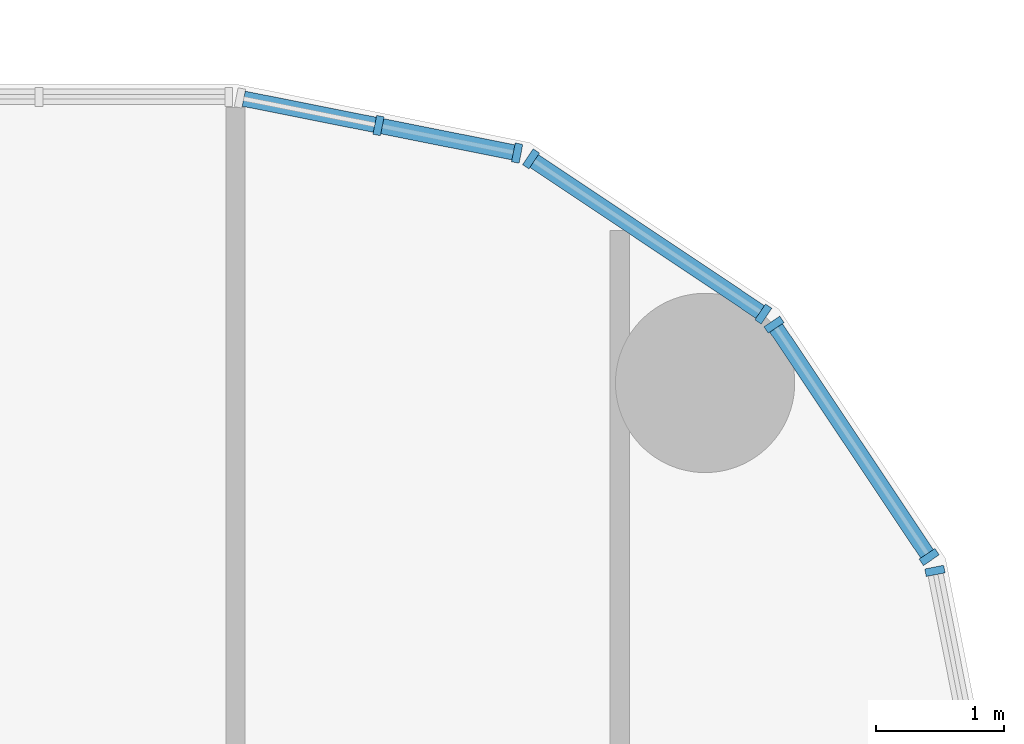
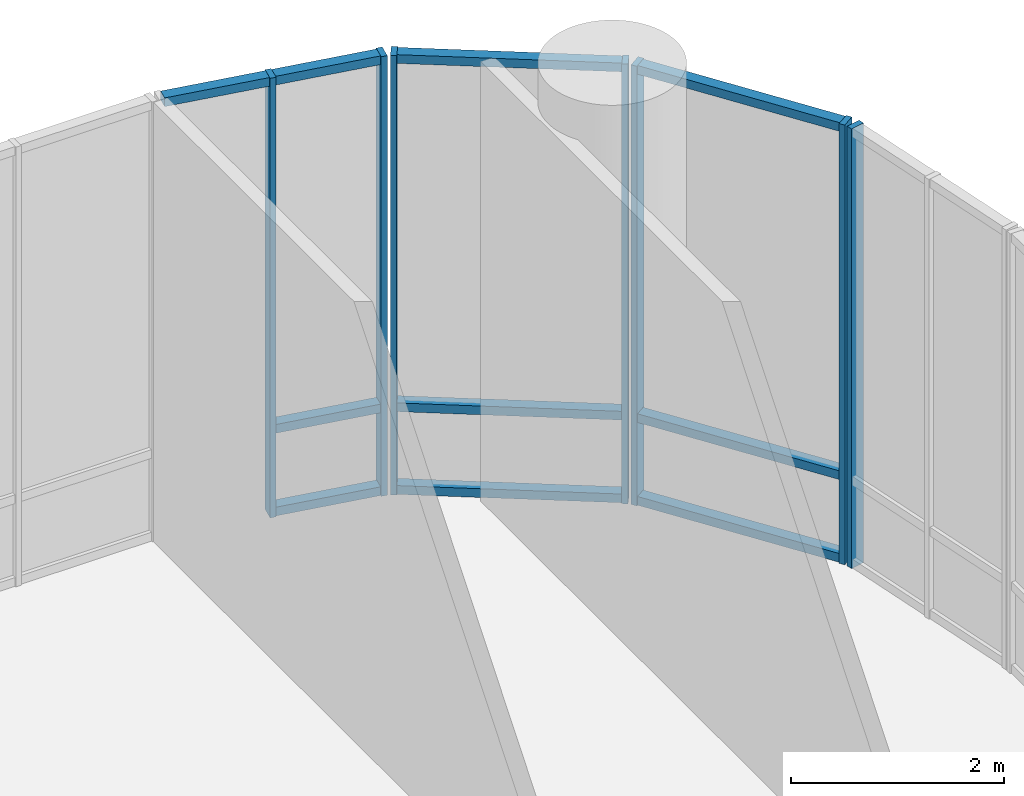
# One storey, part 18 of 30: 17 members, 4 elements without a shape of their own.
"""IFC4 building model written with IfcOpenShell, lengths in metres."""

from ifc_helpers import new_model, si_unit, direction, frame, origin, origin_2d, place, context, subcontext, project, spatial, rectangle, extrude, material, layer, layer_set, material_profile, profile_set, type_object, element, aggregate, save


model = new_model("IFC4")

# Units and contexts
model_context = context("Model", 3, precision=1e-05, world=origin(), true_north=direction((0.0, 1.0)))
body_context = subcontext(model_context, "Body", "Model", "MODEL_VIEW")
ifc_project = project(units=[si_unit("LENGTHUNIT", "METRE"), si_unit("AREAUNIT", "SQUARE_METRE"), si_unit("VOLUMEUNIT", "CUBIC_METRE"), si_unit("PLANEANGLEUNIT", "RADIAN"), si_unit("MASSUNIT", "GRAM", prefix="KILO")], contexts=[model_context])

# Site, building, storey
site_placement = place(None, origin())
site = spatial("IfcSite", under=ifc_project, at=site_placement, CompositionType="ELEMENT")
building_placement = place(site_placement, origin())
building = spatial("IfcBuilding", under=site, at=building_placement, Name="Torana Hotel and Residences", CompositionType="ELEMENT")
storey_placement = place(building_placement, frame((0.0, 0.0, 12.5)))
storey = spatial("IfcBuildingStorey", under=building, at=storey_placement, Name="L02", CompositionType="ELEMENT", Elevation=12.5)

# Curtain wall, member
ifc_material_1 = material(Name="Dark anodised aluminium", Category="aluminium")
ifc_layer = layer(ifc_material_1, 0.14990234375)
ifc_layer_set = layer_set([ifc_layer], Name="CW5 PODIUM UPPER UNITISED CURTAIN WALL")
curtain_wall_type = type_object("IfcCurtainWallType", Name="CW5 PODIUM UPPER UNITISED CURTAIN WALL", PredefinedType="NOTDEFINED", material=ifc_layer_set)
curtain_wall_1_placement = place(storey_placement, origin())
curtain_wall_1 = element("IfcCurtainWall", 1, at=curtain_wall_1_placement, inside=storey, type_object=curtain_wall_type, Name="Curtain wall CW5 L02 e1.6", PredefinedType="NOTDEFINED")
ifc_material_2 = material(Name="Dark anodised aluminium", Category="aluminium")
ifc_material_profile_1 = material_profile(ifc_material_2, rectangle(XDim=0.14990234375, YDim=0.06005859375, at=origin_2d()), Name="CW5 MULLION 60x150")
ifc_profile_set_1 = profile_set([ifc_material_profile_1], Name="Dark anodised aluminium")
member_type_1 = type_object("IfcMemberType", Name="CW5 MULLION 60x150", PredefinedType="MULLION", material=ifc_profile_set_1)
member_1_placement = place(storey_placement, frame((47.460693359375, 4.198486328125, 0.0), z_axis=(0.0, 0.0, 1.0), x_axis=(-0.980787135335, -0.195080996415, 0.0)))
member_1 = element("IfcMember", 2, at=member_1_placement, type_object=member_type_1, Name="CW5 mullion 3", PredefinedType="MULLION", context=body_context, shape_type="SweptSolid", body=[
    extrude(rectangle(XDim=0.14990234375, YDim=0.06005859375, at=origin_2d()), origin(), (0.0, 0.0, 1.0), 5.050048828125),
])
aggregate(curtain_wall_1, [member_1])

# Curtain wall, members
curtain_wall_2_placement = place(storey_placement, origin())
curtain_wall_2 = element("IfcCurtainWall", 3, at=curtain_wall_2_placement, inside=storey, type_object=curtain_wall_type, Name="Curtain wall CW5 L02 e1.7", PredefinedType="NOTDEFINED")
member_2_placement = place(storey_placement, frame((47.415771484375, 4.306884765625, 0.0), z_axis=(0.0, 0.0, 1.0), x_axis=(-0.831459585616, -0.555585238723, 0.0)))
member_2 = element("IfcMember", 4, at=member_2_placement, type_object=member_type_1, Name="CW5 mullion 1", PredefinedType="MULLION", context=body_context, shape_type="SweptSolid", body=[
    extrude(rectangle(XDim=0.14990234375, YDim=0.06005859375, at=origin_2d()), origin(), (0.0, 0.0, 1.0), 5.050048828125),
])
member_3_placement = place(storey_placement, frame((46.203857421875, 6.120849609375, 0.0), z_axis=(0.0, 0.0, 1.0), x_axis=(-0.831459585616, -0.555585238723, 0.0)))
member_3 = element("IfcMember", 5, at=member_3_placement, type_object=member_type_1, Name="CW5 mullion 2", PredefinedType="MULLION", context=body_context, shape_type="SweptSolid", body=[
    extrude(rectangle(XDim=0.14990234375, YDim=0.06005859375, at=origin_2d()), origin(), (0.0, 0.0, 1.0), 5.050048828125),
])

curtain_wall_3_placement = place(storey_placement, origin())
curtain_wall_3 = element("IfcCurtainWall", 6, at=curtain_wall_3_placement, inside=storey, type_object=curtain_wall_type, Name="Curtain wall CW5 L02 e1.8", PredefinedType="NOTDEFINED")
member_4_placement = place(storey_placement, frame((46.120849609375, 6.203857421875, 0.0), z_axis=(0.0, 0.0, 1.0), x_axis=(-0.555585238723, -0.831459585616, 0.0)))
member_4 = element("IfcMember", 7, at=member_4_placement, type_object=member_type_1, Name="CW5 mullion 1", PredefinedType="MULLION", context=body_context, shape_type="SweptSolid", body=[
    extrude(rectangle(XDim=0.14990234375, YDim=0.06005859375, at=origin_2d()), origin(), (0.0, 0.0, 1.0), 5.050048828125),
])
member_5_placement = place(storey_placement, frame((44.306884765625, 7.415771484375, 0.0), z_axis=(0.0, 0.0, 1.0), x_axis=(-0.555585238723, -0.831459585616, 0.0)))
member_5 = element("IfcMember", 8, at=member_5_placement, type_object=member_type_1, Name="CW5 mullion 2", PredefinedType="MULLION", context=body_context, shape_type="SweptSolid", body=[
    extrude(rectangle(XDim=0.14990234375, YDim=0.06005859375, at=origin_2d()), origin(), (0.0, 0.0, 1.0), 5.050048828125),
])

curtain_wall_4_placement = place(storey_placement, origin())
curtain_wall_4 = element("IfcCurtainWall", 9, at=curtain_wall_4_placement, inside=storey, type_object=curtain_wall_type, Name="Curtain wall CW5 L02 e1.9", PredefinedType="NOTDEFINED")
member_6_placement = place(storey_placement, frame((44.198486328125, 7.460693359375, 0.0), z_axis=(0.0, 0.0, 1.0), x_axis=(-0.195080996415, -0.980787135335, 0.0)))
member_6 = element("IfcMember", 10, at=member_6_placement, type_object=member_type_1, Name="CW5 mullion 1", PredefinedType="MULLION", context=body_context, shape_type="SweptSolid", body=[
    extrude(rectangle(XDim=0.14990234375, YDim=0.06005859375, at=origin_2d()), origin(), (0.0, 0.0, 1.0), 5.050048828125),
])
member_7_placement = place(storey_placement, frame((43.1162109375, 7.676025390625, 0.0), z_axis=(0.0, 0.0, 1.0), x_axis=(-0.195080996415, -0.980787135335, 0.0)))
member_7 = element("IfcMember", 11, at=member_7_placement, type_object=member_type_1, Name="CW5 mullion 2", PredefinedType="MULLION", context=body_context, shape_type="SweptSolid", body=[
    extrude(rectangle(XDim=0.14990234375, YDim=0.06005859375, at=origin_2d()), origin(), (0.0, 0.0, 1.0), 5.050048828125),
])

# Member
ifc_material_3 = material(Name="Dark anodised aluminium", Category="aluminium")
ifc_material_profile_2 = material_profile(ifc_material_3, rectangle(XDim=0.1201171875, YDim=0.10009765625, at=origin_2d()), Name="CW5 TRANSOM 120x100")
ifc_profile_set_2 = profile_set([ifc_material_profile_2], Name="Dark anodised aluminium")
member_type_2 = type_object("IfcMemberType", Name="CW5 TRANSOM 120x100", PredefinedType="USERDEFINED", material=ifc_profile_set_2)
member_8_placement = place(storey_placement, frame((47.399169921875, 4.331787109375, 0.050048828125), z_axis=(-0.555602799403, 0.831447851219, 0.0), x_axis=(-0.831447851219, -0.555602799403, 0.0)))
member_8 = element("IfcMember", 12, at=member_8_placement, type_object=member_type_2, Name="CW5 transom 1.1", ObjectType="TRANSOM", PredefinedType="USERDEFINED", context=body_context, shape_type="SweptSolid", body=[
    extrude(rectangle(XDim=0.1201171875, YDim=0.10009765625, at=origin_2d()), origin(), (0.0, 0.0, 1.0), 2.12158203125),
])

member_9_placement = place(storey_placement, frame((47.399169921875, 4.331787109375, 1.0), z_axis=(-0.555602799403, 0.831447851219, 0.0), x_axis=(-0.831447851219, -0.555602799403, 0.0)))
member_9 = element("IfcMember", 13, at=member_9_placement, type_object=member_type_2, Name="CW5 transom 1.2", ObjectType="TRANSOM", PredefinedType="USERDEFINED", context=body_context, shape_type="SweptSolid", body=[
    extrude(rectangle(XDim=0.1201171875, YDim=0.10009765625, at=origin_2d()), origin(), (0.0, 0.0, 1.0), 2.12158203125),
])

member_10_placement = place(storey_placement, frame((47.399169921875, 4.331787109375, 5.0), z_axis=(-0.555602799403, 0.831447851219, 0.0), x_axis=(-0.831447851219, -0.555602799403, 0.0)))
member_10 = element("IfcMember", 14, at=member_10_placement, type_object=member_type_2, Name="CW5 transom 1.3", ObjectType="TRANSOM", PredefinedType="USERDEFINED", context=body_context, shape_type="SweptSolid", body=[
    extrude(rectangle(XDim=0.1201171875, YDim=0.10009765625, at=origin_2d()), origin(), (0.0, 0.0, 1.0), 2.12158203125),
])

aggregate(curtain_wall_2, [member_2, member_3, member_8, member_9, member_10])

member_11_placement = place(storey_placement, frame((46.095703125, 6.220458984375, 0.050048828125), z_axis=(-0.831447851219, 0.555602799403, 0.0), x_axis=(-0.555602799403, -0.831447851219, 0.0)))
member_11 = element("IfcMember", 15, at=member_11_placement, type_object=member_type_2, Name="CW5 transom 1.1", ObjectType="TRANSOM", PredefinedType="USERDEFINED", context=body_context, shape_type="SweptSolid", body=[
    extrude(rectangle(XDim=0.1201171875, YDim=0.10009765625, at=origin_2d()), origin(), (0.0, 0.0, 1.0), 2.12158203125),
])

member_12_placement = place(storey_placement, frame((46.095703125, 6.220458984375, 1.0), z_axis=(-0.831447851219, 0.555602799403, 0.0), x_axis=(-0.555602799403, -0.831447851219, 0.0)))
member_12 = element("IfcMember", 16, at=member_12_placement, type_object=member_type_2, Name="CW5 transom 1.2", ObjectType="TRANSOM", PredefinedType="USERDEFINED", context=body_context, shape_type="SweptSolid", body=[
    extrude(rectangle(XDim=0.1201171875, YDim=0.10009765625, at=origin_2d()), origin(), (0.0, 0.0, 1.0), 2.12158203125),
])

member_13_placement = place(storey_placement, frame((46.095703125, 6.220458984375, 5.0), z_axis=(-0.831447851219, 0.555602799403, 0.0), x_axis=(-0.555602799403, -0.831447851219, 0.0)))
member_13 = element("IfcMember", 17, at=member_13_placement, type_object=member_type_2, Name="CW5 transom 1.3", ObjectType="TRANSOM", PredefinedType="USERDEFINED", context=body_context, shape_type="SweptSolid", body=[
    extrude(rectangle(XDim=0.1201171875, YDim=0.10009765625, at=origin_2d()), origin(), (0.0, 0.0, 1.0), 2.12158203125),
])

aggregate(curtain_wall_3, [member_4, member_5, member_11, member_12, member_13])

member_14_placement = place(storey_placement, frame((44.1689453125, 7.466552734375, 0.050048828125), z_axis=(-0.980778145841, 0.195126186458, 0.0), x_axis=(-0.195126186458, -0.980778145841, 0.0)))
member_14 = element("IfcMember", 18, at=member_14_placement, type_object=member_type_2, Name="CW5 transom 1.1", ObjectType="TRANSOM", PredefinedType="USERDEFINED", context=body_context, shape_type="SweptSolid", body=[
    extrude(rectangle(XDim=0.1201171875, YDim=0.10009765625, at=origin_2d()), origin(), (0.0, 0.0, 1.0), 1.04345703125),
])

member_15_placement = place(storey_placement, frame((44.1689453125, 7.466552734375, 1.0), z_axis=(-0.980778145841, 0.195126186458, 0.0), x_axis=(-0.195126186458, -0.980778145841, 0.0)))
member_15 = element("IfcMember", 19, at=member_15_placement, type_object=member_type_2, Name="CW5 transom 1.2", ObjectType="TRANSOM", PredefinedType="USERDEFINED", context=body_context, shape_type="SweptSolid", body=[
    extrude(rectangle(XDim=0.1201171875, YDim=0.10009765625, at=origin_2d()), origin(), (0.0, 0.0, 1.0), 1.04345703125),
])

member_16_placement = place(storey_placement, frame((44.1689453125, 7.466552734375, 5.0), z_axis=(-0.980778145841, 0.195126186458, 0.0), x_axis=(-0.195126186458, -0.980778145841, 0.0)))
member_16 = element("IfcMember", 20, at=member_16_placement, type_object=member_type_2, Name="CW5 transom 1.3", ObjectType="TRANSOM", PredefinedType="USERDEFINED", context=body_context, shape_type="SweptSolid", body=[
    extrude(rectangle(XDim=0.1201171875, YDim=0.10009765625, at=origin_2d()), origin(), (0.0, 0.0, 1.0), 1.04345703125),
])

member_17_placement = place(storey_placement, frame((43.086669921875, 7.681884765625, 5.0), z_axis=(-0.980769234765, 0.195170971557, 0.0), x_axis=(-0.195170971557, -0.980769234765, 0.0)))
member_17 = element("IfcMember", 21, at=member_17_placement, type_object=member_type_2, Name="CW5 transom 2.3", ObjectType="TRANSOM", PredefinedType="USERDEFINED", context=body_context, shape_type="SweptSolid", body=[
    extrude(rectangle(XDim=0.1201171875, YDim=0.10009765625, at=origin_2d()), origin(), (0.0, 0.0, 1.0), 1.043212890625),
])

aggregate(curtain_wall_4, [member_6, member_7, member_14, member_15, member_16, member_17])

save(model, "model.ifc")
